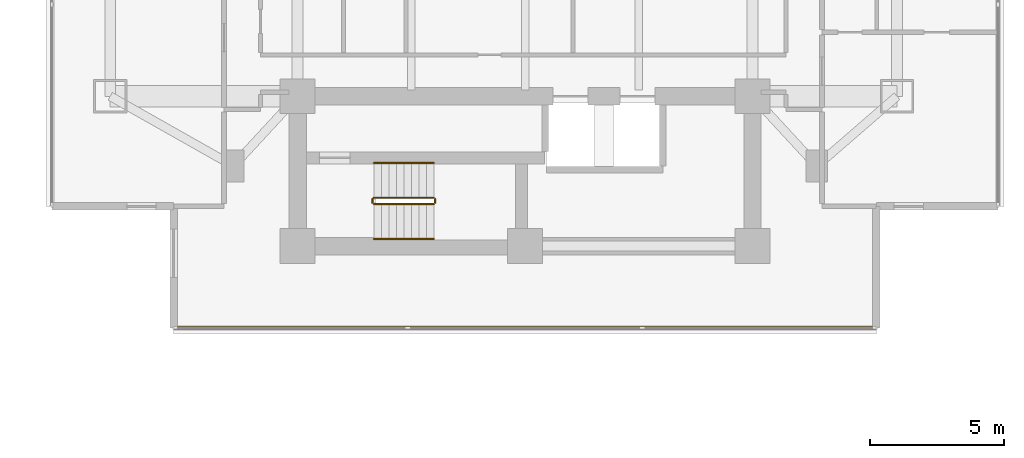
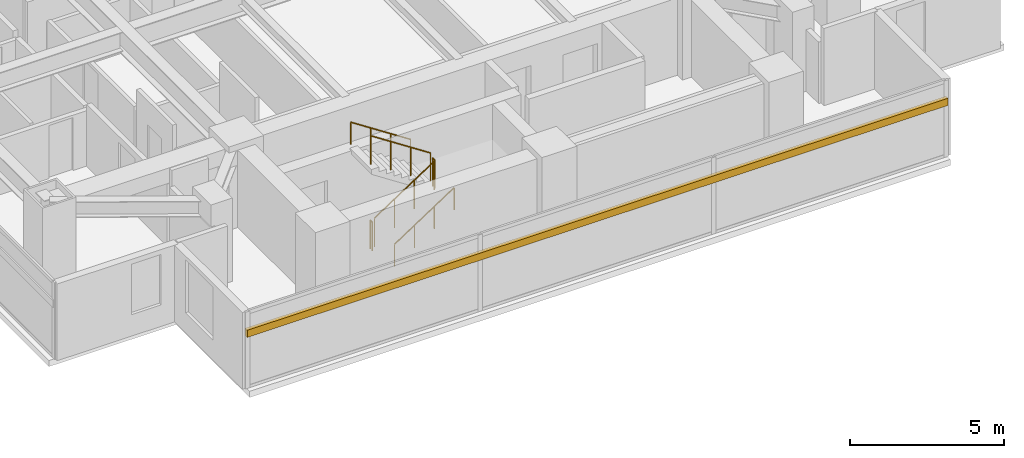
# One storey, part 25 of 27: 6 railings, 1 shading device.
"""IFC4 building model written with IfcOpenShell, lengths in metres."""

from ifc_helpers import new_model, si_unit, direction, frame, origin, origin_2d, place, context, subcontext, project, spatial, rectangle, circle, extrude, material, material_profile, profile_set, type_object, element, save


model = new_model("IFC4")

# Units and contexts
model_context = context("Model", 3, precision=1e-05, world=origin(), true_north=direction((0.0, 1.0)))
body_context = subcontext(model_context, "Body", "Model", "MODEL_VIEW")
ifc_project = project(units=[si_unit("LENGTHUNIT", "METRE"), si_unit("AREAUNIT", "SQUARE_METRE"), si_unit("VOLUMEUNIT", "CUBIC_METRE"), si_unit("PLANEANGLEUNIT", "RADIAN"), si_unit("MASSUNIT", "GRAM", prefix="KILO")], contexts=[model_context])

# Site, building, storey
site_placement = place(None, origin())
site = spatial("IfcSite", under=ifc_project, at=site_placement, CompositionType="ELEMENT")
building_placement = place(site_placement, origin())
building = spatial("IfcBuilding", under=site, at=building_placement, Name="Mirazonda Arch Towers", CompositionType="ELEMENT")
storey_placement = place(building_placement, frame((0.0, 0.0, 55.39990234375)))
storey = spatial("IfcBuildingStorey", under=building, at=storey_placement, Name="L15", CompositionType="ELEMENT", Elevation=55.39990234375)

# Shading device
ifc_material_1 = material(Name="Kiln-Fired Architectural Terracotta", Category="masonry")
ifc_material_profile = material_profile(ifc_material_1, rectangle(XDim=0.139892578125, YDim=0.280029296875, at=origin_2d()), Name="TERRA-BAG-140x280")
ifc_profile_set = profile_set([ifc_material_profile], Name="Kiln-Fired Architectural Terracotta")
shading_device_type = type_object("IfcShadingDeviceType", Name="BAGUETTE-3", PredefinedType="USERDEFINED", material=ifc_profile_set)
shading_device_placement = place(storey_placement, frame((89.632080078125, 12.140625, 2.18896484375), z_axis=(-1.0, 0.0, 0.0), x_axis=(0.0, -1.0, 0.0)))
element("IfcShadingDevice", 1, at=shading_device_placement, inside=storey, type_object=shading_device_type, Name="L15 Glazed Terracotta Sun-Screen Baguette CW-L15-T2-S", ObjectType="BAGUETTE", PredefinedType="USERDEFINED", context=body_context, shape_type="SweptSolid", body=[
    extrude(rectangle(XDim=0.139892578125, YDim=0.280029296875, at=origin_2d()), origin(), (0.0, 0.0, 1.0), 26.26416015625),
])

# Railings
ifc_material_2 = material(Name="Architectural Brushed Steel S355", Category="steel")
railing_type_1 = type_object("IfcRailingType", Name="GUARD-STAIR-1120", PredefinedType="GUARDRAIL", material=ifc_material_2)
railing_1_placement = place(storey_placement, frame((70.85009765625, 16.77001953125, 0.183349609375)))
element("IfcRailing", 2, at=railing_1_placement, inside=storey, type_object=railing_type_1, Name="L15 ST-T2S stair guard 1", PredefinedType="GUARDRAIL", context=body_context, shape_type="SweptSolid", body=[
    extrude(circle(Radius=0.02392578125, at=origin_2d()), frame((0.0, 0.0, 1.1259765625), z_axis=(0.836595146698, 0.0, 0.547821650285), x_axis=(0.0, 1.0, 0.0)), (0.0, 0.0, 1.0), 2.677490234375),
    extrude(circle(Radius=0.02099609375, at=origin_2d()), origin(), (0.0, 0.0, 1.0), 1.101806640625),
    extrude(circle(Radius=0.02099609375, at=origin_2d()), frame((0.74658203125, 0.0, 0.489013671875)), (0.0, 0.0, 1.0), 1.101806640625),
    extrude(circle(Radius=0.02099609375, at=origin_2d()), frame((1.493408203125, 0.0, 0.977783203125)), (0.0, 0.0, 1.0), 1.101806640625),
    extrude(circle(Radius=0.02099609375, at=origin_2d()), frame((2.239990234375, 0.0, 1.466796875)), (0.0, 0.0, 1.0), 1.101806640625),
])
railing_2_placement = place(storey_placement, frame((73.139892578125, 16.820068359375, 1.650146484375)))
element("IfcRailing", 3, at=railing_2_placement, inside=storey, type_object=railing_type_1, Name="L15 ST-T2S stair guard 2", PredefinedType="GUARDRAIL", context=body_context, shape_type="SweptSolid", body=[
    extrude(circle(Radius=0.02392578125, at=origin_2d()), frame((0.0, 0.0, 1.1259765625), z_axis=(0.0, 1.0, 0.0), x_axis=(-1.0, 0.0, 0.0)), (0.0, 0.0, 1.0), 0.139892578125),
    extrude(circle(Radius=0.02099609375, at=origin_2d()), origin(), (0.0, 0.0, 1.0), 1.101806640625),
    extrude(circle(Radius=0.02099609375, at=origin_2d()), frame((0.0, 0.139892578125, 0.0)), (0.0, 0.0, 1.0), 1.101806640625),
])
railing_3_placement = place(storey_placement, frame((73.090087890625, 17.010009765625, 1.83349609375)))
element("IfcRailing", 4, at=railing_3_placement, inside=storey, type_object=railing_type_1, Name="L15 ST-T2S stair guard 3", PredefinedType="GUARDRAIL", context=body_context, shape_type="SweptSolid", body=[
    extrude(circle(Radius=0.02392578125, at=origin_2d()), frame((0.0, 0.0, 1.1259765625), z_axis=(-0.836636935527, 0.0, 0.547757827979), x_axis=(0.0, -1.0, 0.0)), (0.0, 0.0, 1.0), 2.677490234375),
    extrude(circle(Radius=0.02099609375, at=origin_2d()), origin(), (0.0, 0.0, 1.0), 1.101806640625),
    extrude(circle(Radius=0.02099609375, at=origin_2d()), frame((-0.74658203125, 0.0, 0.48876953125)), (0.0, 0.0, 1.0), 1.101806640625),
    extrude(circle(Radius=0.02099609375, at=origin_2d()), frame((-1.493408203125, 0.0, 0.977783203125)), (0.0, 0.0, 1.0), 1.101806640625),
    extrude(circle(Radius=0.02099609375, at=origin_2d()), frame((-2.239990234375, 0.0, 1.466552734375)), (0.0, 0.0, 1.0), 1.101806640625),
])
railing_4_placement = place(storey_placement, frame((70.800048828125, 16.820068359375, 0.0)))
element("IfcRailing", 5, at=railing_4_placement, inside=storey, type_object=railing_type_1, Name="L15 ST-T2S stair guard 4", PredefinedType="GUARDRAIL", context=body_context, shape_type="SweptSolid", body=[
    extrude(circle(Radius=0.02392578125, at=origin_2d()), frame((0.0, 0.0, 1.1259765625), z_axis=(0.0, 1.0, 0.0), x_axis=(-1.0, 0.0, 0.0)), (0.0, 0.0, 1.0), 0.139892578125),
    extrude(circle(Radius=0.02099609375, at=origin_2d()), origin(), (0.0, 0.0, 1.0), 1.101806640625),
    extrude(circle(Radius=0.02099609375, at=origin_2d()), frame((0.0, 0.139892578125, 0.0)), (0.0, 0.0, 1.0), 1.101806640625),
])
railing_type_2 = type_object("IfcRailingType", Name="HANDRAIL-915", PredefinedType="HANDRAIL", material=ifc_material_2)
railing_5_placement = place(storey_placement, frame((70.85009765625, 15.469970703125, 0.183349609375)))
element("IfcRailing", 6, at=railing_5_placement, inside=storey, type_object=railing_type_2, Name="L15 ST-T2S stair handrail 1", PredefinedType="HANDRAIL", context=body_context, shape_type="SweptSolid", body=[
    extrude(circle(Radius=0.02392578125, at=origin_2d()), frame((0.0, 0.0, 0.8759765625), z_axis=(0.836595146698, 0.0, 0.547821650285), x_axis=(0.0, 1.0, 0.0)), (0.0, 0.0, 1.0), 2.677490234375),
    extrude(circle(Radius=0.02099609375, at=origin_2d()), origin(), (0.0, 0.0, 1.0), 0.851806640625),
    extrude(circle(Radius=0.02099609375, at=origin_2d()), frame((0.74658203125, 0.0, 0.489013671875)), (0.0, 0.0, 1.0), 0.851806640625),
    extrude(circle(Radius=0.02099609375, at=origin_2d()), frame((1.493408203125, 0.0, 0.977783203125)), (0.0, 0.0, 1.0), 0.851806640625),
    extrude(circle(Radius=0.02099609375, at=origin_2d()), frame((2.239990234375, 0.0, 1.466796875)), (0.0, 0.0, 1.0), 0.851806640625),
])
railing_6_placement = place(storey_placement, frame((73.090087890625, 18.31005859375, 1.83349609375)))
element("IfcRailing", 7, at=railing_6_placement, inside=storey, type_object=railing_type_2, Name="L15 ST-T2S stair handrail 2", PredefinedType="HANDRAIL", context=body_context, shape_type="SweptSolid", body=[
    extrude(circle(Radius=0.02392578125, at=origin_2d()), frame((0.0, 0.0, 0.8759765625), z_axis=(-0.836636935527, 0.0, 0.547757827979), x_axis=(0.0, -1.0, 0.0)), (0.0, 0.0, 1.0), 2.677490234375),
    extrude(circle(Radius=0.02099609375, at=origin_2d()), origin(), (0.0, 0.0, 1.0), 0.851806640625),
    extrude(circle(Radius=0.02099609375, at=origin_2d()), frame((-0.74658203125, 0.0, 0.48876953125)), (0.0, 0.0, 1.0), 0.851806640625),
    extrude(circle(Radius=0.02099609375, at=origin_2d()), frame((-1.493408203125, 0.0, 0.977783203125)), (0.0, 0.0, 1.0), 0.851806640625),
    extrude(circle(Radius=0.02099609375, at=origin_2d()), frame((-2.239990234375, 0.0, 1.466552734375)), (0.0, 0.0, 1.0), 0.851806640625),
])

save(model, "model.ifc")
